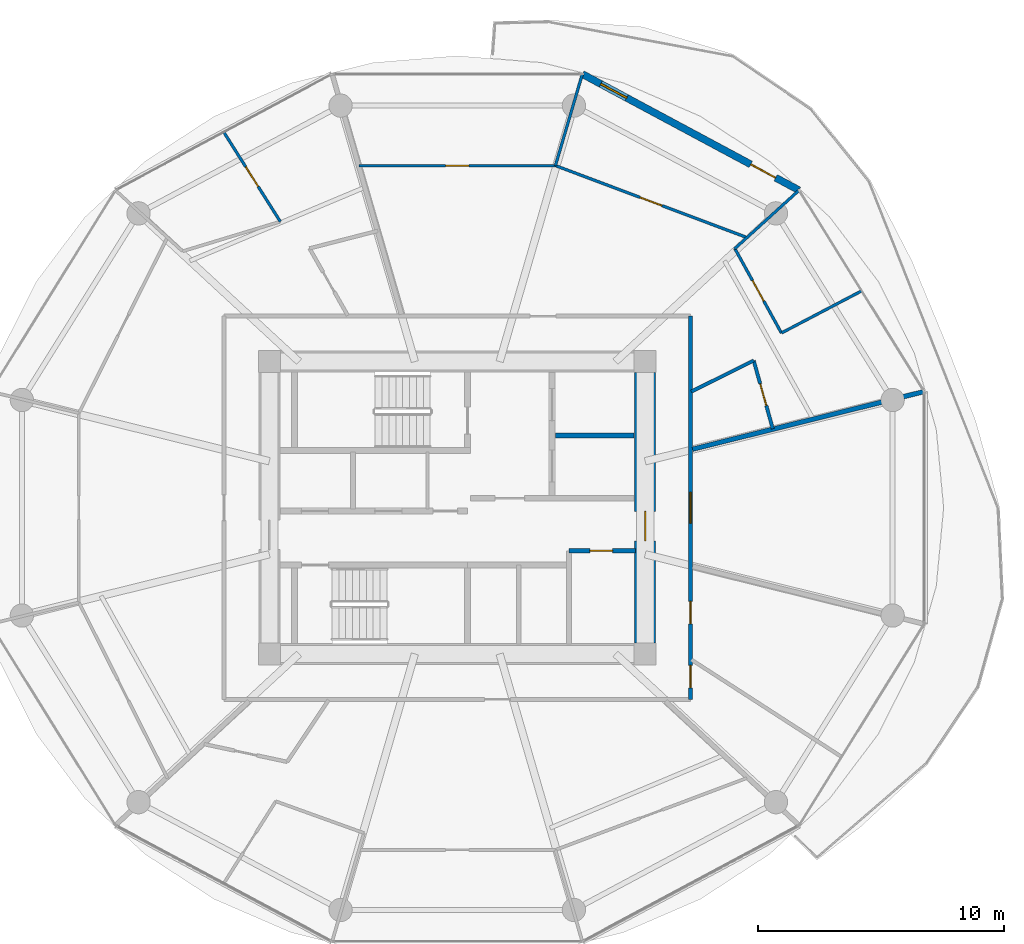
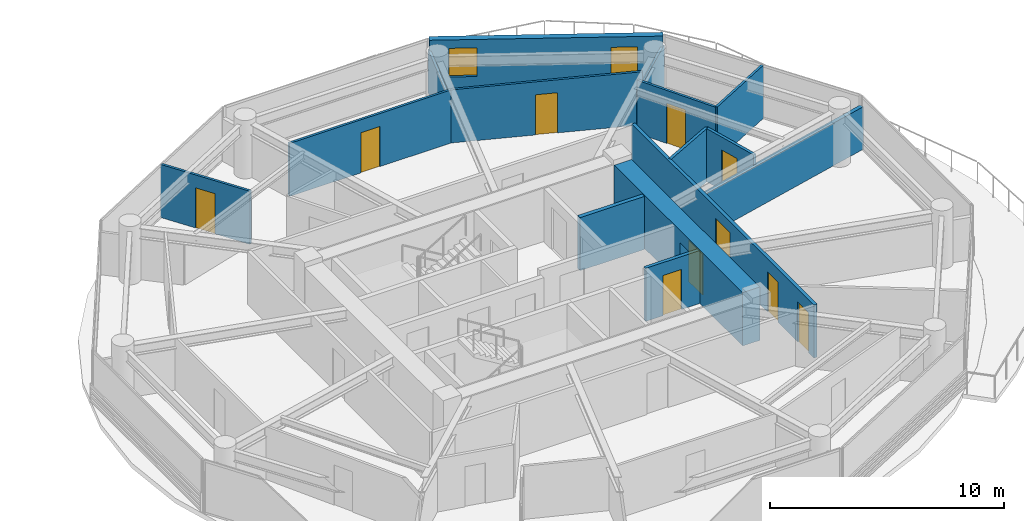
# One storey, part 20 of 27: 15 walls, 11 doors, 1 window, 12 openings.
"""IFC4 building model written with IfcOpenShell, lengths in metres."""

import ifcopenshell
import ifcopenshell.guid

model = None  # the IFC model being written
_history = None  # IfcOwnerHistory: only IFC2X3 demands one
_inside = {}  # id of a spatial element -> (the spatial element, [elements in it])
_under = {}  # id of a project, library or spatial element -> (it, [spatial elements below it])
_declared = {}  # id of a project -> (the project, [libraries it declares])
_typed = {}  # id of a type object -> (the type object, [elements of that type])
_made_of = {}  # id of a material, layer set ... -> (it, [elements and type objects made of it])


def new_model(schema):
    """Start an empty IFC model of exactly this schema.

    Asked for "IFC4X3", IfcOpenShell would pick the latest addendum, in which some entities
    have other attributes; the version numbers below select the first issue.
    IFC2X3 requires an IfcOwnerHistory on every rooted entity: one is made here for all.
    """
    global model, _history
    if schema == "IFC4X3":
        model = ifcopenshell.file(schema_version=(4, 3, 0, 0))
    else:
        model = ifcopenshell.file(schema=schema)
    _inside.clear()
    _under.clear()
    _declared.clear()
    _typed.clear()
    _made_of.clear()
    _history = None
    if model.schema == "IFC2X3":
        org = make("IfcOrganization", Name="unknown")
        user = make(
            "IfcPersonAndOrganization",
            ThePerson=make("IfcPerson", FamilyName="unknown"),
            TheOrganization=org,
        )
        app = make(
            "IfcApplication",
            ApplicationDeveloper=org,
            Version="unknown",
            ApplicationFullName="unknown",
            ApplicationIdentifier="unknown",
        )
        _history = make(
            "IfcOwnerHistory",
            OwningUser=user,
            OwningApplication=app,
            ChangeAction="ADDED",
            CreationDate=0,
        )
    return model


def make(cls, **values):
    """One entity of the class cls with the attributes given. An attribute that is None is left unset."""
    return model.create_entity(
        cls, **{name: value for name, value in values.items() if value is not None}
    )


def rooted(cls, **values):
    """An entity with a GlobalId (a new one), such as an element, a storey or a relation."""
    return make(cls, GlobalId=ifcopenshell.guid.new(), OwnerHistory=_history, **values)


def si_unit(unit_type, name, prefix=None):
    """IfcSIUnit, for example si_unit("LENGTHUNIT", "METRE", prefix="MILLI")."""
    return make("IfcSIUnit", UnitType=unit_type, Prefix=prefix, Name=name)


def assignment(units):
    """IfcUnitAssignment: the units of a project."""
    return None if units is None else make("IfcUnitAssignment", Units=units)


def point(xyz):
    """IfcCartesianPoint."""
    return None if xyz is None else make("IfcCartesianPoint", Coordinates=xyz)


def direction(xyz):
    """IfcDirection."""
    return None if xyz is None else make("IfcDirection", DirectionRatios=xyz)


def frame(location, z_axis=None, x_axis=None):
    """IfcAxis2Placement3D, a coordinate frame: its origin and axes. An axis left out is left unset."""
    return make(
        "IfcAxis2Placement3D",
        Location=point(location),
        Axis=direction(z_axis),
        RefDirection=direction(x_axis),
    )


def frame_2d(location, x_axis=None):
    """IfcAxis2Placement2D, a coordinate frame in the plane: its origin and x axis."""
    return make(
        "IfcAxis2Placement2D", Location=point(location), RefDirection=direction(x_axis)
    )


def origin():
    """The frame at (0, 0, 0) with its axes left unset."""
    return frame((0.0, 0.0, 0.0))


def place(relative_to, where):
    """IfcLocalPlacement: puts the frame where relative to a parent placement (None: the world)."""
    return make(
        "IfcLocalPlacement", PlacementRelTo=relative_to, RelativePlacement=where
    )


def context(
    kind, dimensions, precision=None, world=None, true_north=None, identifier=None
):
    """IfcGeometricRepresentationContext, for example the 3D "Model" context."""
    return make(
        "IfcGeometricRepresentationContext",
        ContextIdentifier=identifier,
        ContextType=kind,
        CoordinateSpaceDimension=dimensions,
        Precision=precision,
        WorldCoordinateSystem=world,
        TrueNorth=true_north,
    )


def subcontext(parent, identifier, kind, view, scale=None):
    """IfcGeometricRepresentationSubContext, for example "Body" below "Model"."""
    return make(
        "IfcGeometricRepresentationSubContext",
        ContextIdentifier=identifier,
        ContextType=kind,
        ParentContext=parent,
        TargetScale=scale,
        TargetView=view,
    )


def project(units=None, contexts=None):
    """IfcProject with its units and contexts."""
    return rooted(
        "IfcProject",
        Name="project",
        RepresentationContexts=contexts,
        UnitsInContext=assignment(units),
    )


def spatial(cls, under=None, at=None, **own):
    """A site, building, storey or space (cls), placed at a placement, below another one or the project."""
    s = rooted(cls, ObjectPlacement=at, **own)
    if under is not None:
        _under.setdefault(under.id(), (under, []))[1].append(s)
    return s


def profile(cls, at=None, kind="AREA", **sizes):
    """A parametric profile (cls). Its sizes go by their IFC names, for example OverallWidth=200.0."""
    return make(cls, ProfileType=kind, Position=at, **sizes)


def rectangle(**sizes):
    """IfcRectangleProfileDef."""
    return profile("IfcRectangleProfileDef", **sizes)


def extrude(swept, where, along, depth):
    """IfcExtrudedAreaSolid: the profile swept, set in the frame where, extruded along a direction by depth."""
    return make(
        "IfcExtrudedAreaSolid",
        SweptArea=swept,
        Position=where,
        ExtrudedDirection=direction(along),
        Depth=depth,
    )


def shape(context_of_items, identifier, shape_type, items):
    """IfcShapeRepresentation: the items that make up one representation, for example the "Body"."""
    return make(
        "IfcShapeRepresentation",
        ContextOfItems=context_of_items,
        RepresentationIdentifier=identifier,
        RepresentationType=shape_type,
        Items=items,
    )


def source(mapping_origin, context_of_items, identifier, shape_type, items):
    """IfcRepresentationMap: a shape defined once, which mapped items show again and again."""
    return make(
        "IfcRepresentationMap",
        MappingOrigin=mapping_origin,
        MappedRepresentation=shape(context_of_items, identifier, shape_type, items),
    )


def transform(
    local_origin,
    x_axis=None,
    y_axis=None,
    z_axis=None,
    scale=None,
    scale2=None,
    scale3=None,
    uniform=True,
):
    """IfcCartesianTransformationOperator3D, or its non-uniform kind. x_axis, y_axis, z_axis: its Axis1, 2, 3."""
    if uniform:
        return make(
            "IfcCartesianTransformationOperator3D",
            Axis1=direction(x_axis),
            Axis2=direction(y_axis),
            LocalOrigin=point(local_origin),
            Scale=scale,
            Axis3=direction(z_axis),
        )
    return make(
        "IfcCartesianTransformationOperator3DnonUniform",
        Axis1=direction(x_axis),
        Axis2=direction(y_axis),
        LocalOrigin=point(local_origin),
        Scale=scale,
        Axis3=direction(z_axis),
        Scale2=scale2,
        Scale3=scale3,
    )


def mapped(mapping_source, mapping_target):
    """IfcMappedItem: shows the shape of a source again, moved by a transform."""
    return make(
        "IfcMappedItem", MappingSource=mapping_source, MappingTarget=mapping_target
    )


def material(Name=None, Category=None):
    """IfcMaterial."""
    return make("IfcMaterial", Name=Name, Category=Category)


def layer(
    of_material, thickness, ventilated=None, Name=None, Category=None, Priority=None
):
    """IfcMaterialLayer: one layer of a wall or slab, of a material (None: an air gap)."""
    return make(
        "IfcMaterialLayer",
        Material=of_material,
        LayerThickness=thickness,
        IsVentilated=ventilated,
        Name=Name,
        Category=Category,
        Priority=Priority,
    )


def layer_set(layers, Name=None):
    """IfcMaterialLayerSet."""
    return make("IfcMaterialLayerSet", MaterialLayers=layers, LayerSetName=Name)


def made_of(thing, what):
    """Note that an element or type object is made of a material, layer set ...; save() writes the relation."""
    if what is not None:
        _made_of.setdefault(what.id(), (what, []))[1].append(thing)
    return thing


def type_object(cls, material=None, **own):
    """A type object (cls), such as IfcWallType, which elements share."""
    return made_of(rooted(cls, **own), material)


def type_shapes(of_type, sources):
    """Give a type object the sources (RepresentationMaps) that its elements show as mapped items."""
    of_type.RepresentationMaps = sources


def element(
    cls,
    number,
    at=None,
    inside=None,
    cuts=None,
    type_object=None,
    material=None,
    context=None,
    identifier="Body",
    shape_type=None,
    held_by="IfcProductDefinitionShape",
    body=None,
    shapes=None,
    **own,
):
    """One element of the class cls, such as IfcWall. Its Tag is "e" and its number.

    at: its placement. inside: the storey or other place that contains it. cuts: it is an
    opening in that element (IfcRelVoidsElement). A single representation is given by context,
    identifier, shape_type and body (its items); several are given by shapes. held_by: the class
    of the entity that holds the representations. save() writes the other relations.
    """
    e = rooted(cls, Tag="e%d" % number, ObjectPlacement=at, **own)
    if body is not None:
        shapes = [shape(context, identifier, shape_type, body)]
    if shapes is not None:
        e.Representation = make(held_by, Representations=shapes)
    if inside is not None:
        _inside.setdefault(inside.id(), (inside, []))[1].append(e)
    if cuts is not None:
        rooted(
            "IfcRelVoidsElement", RelatingBuildingElement=cuts, RelatedOpeningElement=e
        )
    if type_object is not None:
        _typed.setdefault(type_object.id(), (type_object, []))[1].append(e)
    return made_of(e, material)


def fill(opening, filler):
    """IfcRelFillsElement: the door or window that sits in an opening."""
    return rooted(
        "IfcRelFillsElement",
        RelatingOpeningElement=opening,
        RelatedBuildingElement=filler,
    )


def aggregate(whole, parts):
    """IfcRelAggregates: a whole, such as a stair, and the parts it consists of."""
    return rooted("IfcRelAggregates", RelatingObject=whole, RelatedObjects=parts)


def save(model, path):
    """Write the relations noted so far, then the file.

    IfcRelAggregates (storeys below a building ...), IfcRelContainedInSpatialStructure (elements
    in a storey), IfcRelDefinesByType, IfcRelAssociatesMaterial and IfcRelDeclares: one each for
    every whole, place, type object, material and project.
    """
    for whole, parts in _under.values():
        aggregate(whole, parts)
    for where, things in _inside.values():
        rooted(
            "IfcRelContainedInSpatialStructure",
            RelatedElements=things,
            RelatingStructure=where,
        )
    for kind, things in _typed.values():
        rooted("IfcRelDefinesByType", RelatedObjects=things, RelatingType=kind)
    for what, things in _made_of.values():
        rooted("IfcRelAssociatesMaterial", RelatedObjects=things, RelatingMaterial=what)
    for by, libraries in _declared.values():
        rooted("IfcRelDeclares", RelatingContext=by, RelatedDefinitions=libraries)
    model.write(path)


model = new_model("IFC4")

# Units and contexts
model_context = context("Model", 3, precision=1e-05, world=origin(), true_north=direction((0.0, 1.0)))
body_context = subcontext(model_context, "Body", "Model", "MODEL_VIEW")
ifc_project = project(units=[si_unit("LENGTHUNIT", "METRE"), si_unit("AREAUNIT", "SQUARE_METRE"), si_unit("VOLUMEUNIT", "CUBIC_METRE"), si_unit("PLANEANGLEUNIT", "RADIAN"), si_unit("MASSUNIT", "GRAM", prefix="KILO")], contexts=[model_context])

# Site, building, storey
site_placement = place(None, origin())
site = spatial("IfcSite", under=ifc_project, at=site_placement, CompositionType="ELEMENT")
building_placement = place(site_placement, origin())
building = spatial("IfcBuilding", under=site, at=building_placement, Name="Norrkilde Senior Care Towers", CompositionType="ELEMENT")
storey_placement = place(building_placement, frame((0.0, 0.0, 46.0)))
storey = spatial("IfcBuildingStorey", under=building, at=storey_placement, Name="L13", CompositionType="ELEMENT", Elevation=46.0)

# Wall, opening, door
ifc_material_1 = material(Name="Concrete C60/75", Category="concrete")
ifc_layer_1 = layer(ifc_material_1, 0.85009765625)
ifc_layer_set_1 = layer_set([ifc_layer_1], Name="Concrete C60/75")
wall_type_1 = type_object("IfcWallType", Name="Core Shear Wall Z1 850", PredefinedType="SHEAR", material=ifc_layer_set_1)
shared_shape_1 = source(origin(), body_context, "Body", "SweptSolid", [
    extrude(rectangle(XDim=11.0, YDim=0.85009765625, at=frame_2d((5.5, 0.0))), origin(), (0.0, 0.0, 1.0), 2.7900390625),
])
type_shapes(wall_type_1, [shared_shape_1])
wall_1_placement = place(storey_placement, frame((35.64990234375, 5.5, 0.0), z_axis=(0.0, 0.0, 1.0), x_axis=(0.0, -1.0, 0.0)))
wall_1 = element("IfcWall", 1, at=wall_1_placement, inside=storey, type_object=wall_type_1, Name="L13 Core E East Shear Wall", PredefinedType="SHEAR", context=body_context, shape_type="MappedRepresentation", body=[
    mapped(shared_shape_1, transform((0.0, 0.0, 0.0), x_axis=(1.0, 0.0, 0.0), y_axis=(0.0, 1.0, 0.0), z_axis=(0.0, 0.0, 1.0), scale=1.0)),
])
opening_1_placement = place(wall_1_placement, frame((5.64990234375, 0.0, 0.0)))
opening_1 = element("IfcOpeningElement", 2, at=opening_1_placement, cuts=wall_1, Name="Opening D-04", PredefinedType="OPENING", context=body_context, shape_type="SweptSolid", body=[
    extrude(rectangle(XDim=1.199951171875, YDim=2.14990234375, at=frame_2d((0.60009765625, 1.074951171875))), frame((0.0, 0.43505859375, 0.0), z_axis=(0.0, -1.0, 0.0), x_axis=(1.0, 0.0, 0.0)), (0.0, 0.0, 1.0), 0.8701171875),
])
ifc_material_2 = material(Name="Galvanised Painted Steel", Category="steel")
door_type_1 = type_object("IfcDoorType", Name="Firefighting Lobby Fire Door 1200x2150", OperationType="NOTDEFINED", PredefinedType="DOOR", material=ifc_material_2)
shared_shape_2 = source(origin(), body_context, "Body", "SweptSolid", [
    extrude(rectangle(XDim=1.199951171875, YDim=2.14990234375, at=frame_2d((0.60009765625, 1.074951171875))), frame((0.0, 0.02490234375, 0.0), z_axis=(0.0, -1.0, 0.0), x_axis=(1.0, 0.0, 0.0)), (0.0, 0.0, 1.0), 0.050048828125),
])
type_shapes(door_type_1, [shared_shape_2])
door_1_placement = place(opening_1_placement, frame((1.199951171875, 0.0, 0.0), z_axis=(0.0, 0.0, 1.0), x_axis=(-1.0, 0.0, 0.0)))
door_1 = element("IfcDoor", 3, at=door_1_placement, inside=storey, type_object=door_type_1, Name="L13 Core E East Portal Door", OperationType="SINGLE_SWING_RIGHT", OverallHeight=2.14990234375, OverallWidth=1.199951171875, PredefinedType="DOOR", context=body_context, shape_type="MappedRepresentation", body=[
    mapped(shared_shape_2, transform((0.0, 0.0, 0.0), x_axis=(1.0, 0.0, 0.0), y_axis=(0.0, 1.0, 0.0), z_axis=(0.0, 0.0, 1.0), scale=1.0)),
])
fill(opening_1, door_1)

# Wall, openings, door, window
ifc_material_3 = material(Name="Precast concrete C45/55", Category="concrete")
ifc_layer_2 = layer(ifc_material_3, 0.2900390625)
ifc_layer_set_2 = layer_set([ifc_layer_2], Name="Precast concrete C45/55")
wall_type_2 = type_object("IfcWallType", Name="Winter Garden Facade Wall 290", PredefinedType="SOLIDWALL", material=ifc_layer_set_2)
shared_shape_3 = source(origin(), body_context, "Body", "SweptSolid", [
    extrude(rectangle(XDim=10.0107421875, YDim=0.2900390625, at=frame_2d((5.00537109375, 0.0))), origin(), (0.0, 0.0, 1.0), 2.7900390625),
])
type_shapes(wall_type_2, [shared_shape_3])
wall_2_placement = place(storey_placement, frame((33.093505859375, 17.6572265625, 0.0), z_axis=(0.0, 0.0, 1.0), x_axis=(0.881272505317, -0.472608475773, 0.0)))
wall_2 = element("IfcWall", 4, at=wall_2_placement, inside=storey, type_object=wall_type_2, Name="L13 Drum E Balcony Access Wall 01", PredefinedType="SOLIDWALL", context=body_context, shape_type="MappedRepresentation", body=[
    mapped(shared_shape_3, transform((0.0, 0.0, 0.0), x_axis=(1.0, 0.0, 0.0), y_axis=(0.0, 1.0, 0.0), z_axis=(0.0, 0.0, 1.0), scale=1.0)),
])
opening_2_placement = place(wall_2_placement, frame((7.780029296875, 0.0, 0.0)))
opening_2 = element("IfcOpeningElement", 5, at=opening_2_placement, cuts=wall_2, Name="Opening D-09", PredefinedType="OPENING", context=body_context, shape_type="SweptSolid", body=[
    extrude(rectangle(XDim=1.14990234375, YDim=2.25, at=frame_2d((0.574951171875, 1.125))), frame((0.0, 0.155029296875, 0.0), z_axis=(0.0, -1.0, 0.0), x_axis=(1.0, 0.0, 0.0)), (0.0, 0.0, 1.0), 0.31005859375),
])
opening_3_placement = place(wall_2_placement, frame((0.85009765625, 0.0, 0.85009765625)))
opening_3 = element("IfcOpeningElement", 6, at=opening_3_placement, cuts=wall_2, Name="Opening WN-07", PredefinedType="OPENING", context=body_context, shape_type="SweptSolid", body=[
    extrude(rectangle(XDim=1.199951171875, YDim=1.5, at=frame_2d((0.60009765625, 0.75))), frame((0.0, 0.155029296875, 0.0), z_axis=(0.0, -1.0, 0.0), x_axis=(1.0, 0.0, 0.0)), (0.0, 0.0, 1.0), 0.31005859375),
])
ifc_material_4 = material(Name="Anodised Aluminium", Category="aluminium")
door_type_2 = type_object("IfcDoorType", Name="Terrace and Balcony Glazed Door 1150x2250", OperationType="NOTDEFINED", PredefinedType="DOOR", material=ifc_material_4)
shared_shape_4 = source(origin(), body_context, "Body", "SweptSolid", [
    extrude(rectangle(XDim=1.14990234375, YDim=2.25, at=frame_2d((0.574951171875, 1.125))), frame((0.0, 0.02490234375, 0.0), z_axis=(0.0, -1.0, 0.0), x_axis=(1.0, 0.0, 0.0)), (0.0, 0.0, 1.0), 0.050048828125),
])
type_shapes(door_type_2, [shared_shape_4])
door_2_placement = place(opening_2_placement, origin())
door_2 = element("IfcDoor", 7, at=door_2_placement, inside=storey, type_object=door_type_2, Name="L13 Drum E Outdoor Terrace Door 01", OperationType="SINGLE_SWING_RIGHT", OverallHeight=2.25, OverallWidth=1.14990234375, PredefinedType="DOOR", context=body_context, shape_type="MappedRepresentation", body=[
    mapped(shared_shape_4, transform((0.0, 0.0, 0.0), x_axis=(1.0, 0.0, 0.0), y_axis=(0.0, 1.0, 0.0), z_axis=(0.0, 0.0, 1.0), scale=1.0)),
])
fill(opening_2, door_2)
ifc_material_5 = material(Name="Triple Low-E Insulated Glazing", Category="glass")
window_type = type_object("IfcWindowType", Name="Stairwell Smoke Vent Window 1200x1500", PartitioningType="SINGLE_PANEL", PredefinedType="WINDOW", material=ifc_material_5)
shared_shape_5 = source(origin(), body_context, "Body", "SweptSolid", [
    extrude(rectangle(XDim=1.199951171875, YDim=1.5, at=frame_2d((0.60009765625, 0.75))), frame((0.0, 0.030029296875, 0.0), z_axis=(0.0, -1.0, 0.0), x_axis=(1.0, 0.0, 0.0)), (0.0, 0.0, 1.0), 0.06005859375),
])
type_shapes(window_type, [shared_shape_5])
window_placement = place(opening_3_placement, origin())
window = element("IfcWindow", 8, at=window_placement, inside=storey, type_object=window_type, Name="L13 Drum E Winter Garden Window 01", OverallHeight=1.5, OverallWidth=1.199951171875, PartitioningType="SINGLE_PANEL", PredefinedType="WINDOW", context=body_context, shape_type="MappedRepresentation", body=[
    mapped(shared_shape_5, transform((0.0, 0.0, 0.0), x_axis=(1.0, 0.0, 0.0), y_axis=(0.0, 1.0, 0.0), z_axis=(0.0, 0.0, 1.0), scale=1.0)),
])
fill(opening_3, window)

# Wall
ifc_material_6 = material(Name="Concrete C45/55", Category="concrete")
ifc_layer_3 = layer(ifc_material_6, 0.199951171875)
ifc_layer_set_3 = layer_set([ifc_layer_3], Name="Concrete C45/55")
wall_type_3 = type_object("IfcWallType", Name="Shaft Division and Plant Partition 200", PredefinedType="PARTITIONING", material=ifc_layer_set_3)
shared_shape_6 = source(origin(), body_context, "Body", "SweptSolid", [
    extrude(rectangle(XDim=3.199951171875, YDim=0.199951171875, at=frame_2d((1.60009765625, 0.0))), origin(), (0.0, 0.0, 1.0), 2.77490234375),
])
type_shapes(wall_type_3, [shared_shape_6])
wall_3_placement = place(storey_placement, frame((32.0, 2.949951171875, 0.0), z_axis=(0.0, 0.0, 1.0), x_axis=(1.0, 0.0, 0.0)))
element("IfcWall", 9, at=wall_3_placement, inside=storey, type_object=wall_type_3, Name="WL-INT-L13-E-FFLDIV", PredefinedType="PARTITIONING", context=body_context, shape_type="MappedRepresentation", body=[
    mapped(shared_shape_6, transform((0.0, 0.0, 0.0), x_axis=(1.0, 0.0, 0.0), y_axis=(0.0, 1.0, 0.0), z_axis=(0.0, 0.0, 1.0), scale=1.0)),
])

# Wall, opening, door
ifc_material_7 = material(Name="Gypsum Acoustic Board")
ifc_layer_4 = layer(ifc_material_7, 0.1650390625)
ifc_layer_set_4 = layer_set([ifc_layer_4], Name="Gypsum Acoustic Board")
wall_type_4 = type_object("IfcWallType", Name="Corridor Rated Partition 165", PredefinedType="PARTITIONING", material=ifc_layer_set_4)
shared_shape_7 = source(origin(), body_context, "Body", "SweptSolid", [
    extrude(rectangle(XDim=2.699951171875, YDim=0.1650390625, at=frame_2d((1.35009765625, 0.0))), origin(), (0.0, 0.0, 1.0), 2.77490234375),
])
wall_4_placement = place(storey_placement, frame((32.550048828125, -1.75, 0.0), z_axis=(0.0, 0.0, 1.0), x_axis=(1.0, 0.0, 0.0)))
wall_4 = element("IfcWall", 10, at=wall_4_placement, inside=storey, type_object=wall_type_4, Name="WL-INT-L13-E-CSN", PredefinedType="PARTITIONING", context=body_context, shape_type="MappedRepresentation", body=[
    mapped(shared_shape_7, transform((0.0, 0.0, 0.0), x_axis=(1.0, 0.0, 0.0), y_axis=(0.0, 1.0, 0.0), z_axis=(0.0, 0.0, 1.0), scale=1.0)),
])
opening_4_placement = place(wall_4_placement, frame((0.85009765625, 0.0, 0.0)))
opening_4 = element("IfcOpeningElement", 11, at=opening_4_placement, cuts=wall_4, Name="Opening D-12", PredefinedType="OPENING", context=body_context, shape_type="SweptSolid", body=[
    extrude(rectangle(XDim=0.925048828125, YDim=2.10009765625, at=frame_2d((0.46240234375, 1.050048828125))), frame((0.0, 0.092529296875, 0.0), z_axis=(0.0, -1.0, 0.0), x_axis=(1.0, 0.0, 0.0)), (0.0, 0.0, 1.0), 0.18505859375),
])
door_type_3 = type_object("IfcDoorType", Name="Core Wet Room Rated Door 925x2100", OperationType="NOTDEFINED", PredefinedType="DOOR", material=ifc_material_2)
shared_shape_8 = source(origin(), body_context, "Body", "SweptSolid", [
    extrude(rectangle(XDim=0.925048828125, YDim=2.10009765625, at=frame_2d((0.46240234375, 1.050048828125))), frame((0.0, 0.02490234375, 0.0), z_axis=(0.0, -1.0, 0.0), x_axis=(1.0, 0.0, 0.0)), (0.0, 0.0, 1.0), 0.050048828125),
])
type_shapes(door_type_3, [shared_shape_8])
door_3_placement = place(opening_4_placement, origin())
door_3 = element("IfcDoor", 12, at=door_3_placement, inside=storey, type_object=door_type_3, Name="L13 Core Utility E Door", OperationType="SINGLE_SWING_LEFT", OverallHeight=2.10009765625, OverallWidth=0.925048828125, PredefinedType="DOOR", context=body_context, shape_type="MappedRepresentation", body=[
    mapped(shared_shape_8, transform((0.0, 0.0, 0.0), x_axis=(1.0, 0.0, 0.0), y_axis=(0.0, 1.0, 0.0), z_axis=(0.0, 0.0, 1.0), scale=1.0)),
])
fill(opening_4, door_3)

# Wall, openings, doors
shared_shape_9 = source(origin(), body_context, "Body", "SweptSolid", [
    extrude(rectangle(XDim=15.60009765625, YDim=0.1650390625, at=frame_2d((7.800048828125, 0.0))), origin(), (0.0, 0.0, 1.0), 2.77490234375),
])
type_shapes(wall_type_4, [shared_shape_7, shared_shape_9])
wall_5_placement = place(storey_placement, frame((37.5, 7.800048828125, 0.0), z_axis=(0.0, 0.0, 1.0), x_axis=(0.0, -1.0, 0.0)))
wall_5 = element("IfcWall", 13, at=wall_5_placement, inside=storey, type_object=wall_type_4, Name="WL-INT-L13-E-CRW-E-0", PredefinedType="PARTITIONING", context=body_context, shape_type="MappedRepresentation", body=[
    mapped(shared_shape_9, transform((0.0, 0.0, 0.0), x_axis=(1.0, 0.0, 0.0), y_axis=(0.0, 1.0, 0.0), z_axis=(0.0, 0.0, 1.0), scale=1.0)),
])
opening_5_placement = place(wall_5_placement, frame((14.214599609375, 0.0, 0.0)))
opening_5 = element("IfcOpeningElement", 14, at=opening_5_placement, cuts=wall_5, Name="Opening D-08", PredefinedType="OPENING", context=body_context, shape_type="SweptSolid", body=[
    extrude(rectangle(XDim=0.919921875, YDim=2.10009765625, at=frame_2d((0.4599609375, 1.050048828125))), frame((0.0, 0.092529296875, 0.0), z_axis=(0.0, -1.0, 0.0), x_axis=(1.0, 0.0, 0.0)), (0.0, 0.0, 1.0), 0.18505859375),
])
opening_6_placement = place(wall_5_placement, frame((11.609130859375, 0.0, 0.0)))
opening_6 = element("IfcOpeningElement", 15, at=opening_6_placement, cuts=wall_5, Name="Opening D-08", PredefinedType="OPENING", context=body_context, shape_type="SweptSolid", body=[
    extrude(rectangle(XDim=0.919921875, YDim=2.10009765625, at=frame_2d((0.4599609375, 1.050048828125))), frame((0.0, 0.092529296875, 0.0), z_axis=(0.0, -1.0, 0.0), x_axis=(1.0, 0.0, 0.0)), (0.0, 0.0, 1.0), 0.18505859375),
])
opening_7_placement = place(wall_5_placement, frame((7.175048828125, 0.0, 0.0)))
opening_7 = element("IfcOpeningElement", 16, at=opening_7_placement, cuts=wall_5, Name="Opening D-05", PredefinedType="OPENING", context=body_context, shape_type="SweptSolid", body=[
    extrude(rectangle(XDim=1.25, YDim=2.199951171875, at=frame_2d((0.625, 1.10009765625))), frame((0.0, 0.092529296875, 0.0), z_axis=(0.0, -1.0, 0.0), x_axis=(1.0, 0.0, 0.0)), (0.0, 0.0, 1.0), 0.18505859375),
])
ifc_material_8 = material(Name="Nordic Ash Timber", Category="wood")
door_type_4 = type_object("IfcDoorType", Name="Care Bedroom Bariatric Door 1250x2200", OperationType="NOTDEFINED", PredefinedType="DOOR", material=ifc_material_8)
shared_shape_10 = source(origin(), body_context, "Body", "SweptSolid", [
    extrude(rectangle(XDim=1.25, YDim=2.199951171875, at=frame_2d((0.625, 1.10009765625))), frame((0.0, 0.02490234375, 0.0), z_axis=(0.0, -1.0, 0.0), x_axis=(1.0, 0.0, 0.0)), (0.0, 0.0, 1.0), 0.050048828125),
])
type_shapes(door_type_4, [shared_shape_10])
door_4_placement = place(opening_7_placement, frame((1.25, 0.0, 0.0), z_axis=(0.0, 0.0, 1.0), x_axis=(-1.0, 0.0, 0.0)))
door_4 = element("IfcDoor", 17, at=door_4_placement, inside=storey, type_object=door_type_4, Name="L13 Senior Wellness Library Lounge Door", OperationType="SINGLE_SWING_RIGHT", OverallHeight=2.199951171875, OverallWidth=1.25, PredefinedType="DOOR", context=body_context, shape_type="MappedRepresentation", body=[
    mapped(shared_shape_10, transform((0.0, 0.0, 0.0), x_axis=(1.0, 0.0, 0.0), y_axis=(0.0, 1.0, 0.0), z_axis=(0.0, 0.0, 1.0), scale=1.0)),
])
fill(opening_7, door_4)
door_type_5 = type_object("IfcDoorType", Name="Accessible Wet Room Door 920x2100", OperationType="NOTDEFINED", PredefinedType="DOOR", material=ifc_material_8)
shared_shape_11 = source(origin(), body_context, "Body", "SweptSolid", [
    extrude(rectangle(XDim=0.919921875, YDim=2.10009765625, at=frame_2d((0.4599609375, 1.050048828125))), frame((0.0, 0.02490234375, 0.0), z_axis=(0.0, -1.0, 0.0), x_axis=(1.0, 0.0, 0.0)), (0.0, 0.0, 1.0), 0.050048828125),
])
type_shapes(door_type_5, [shared_shape_11])
door_5_placement = place(opening_5_placement, frame((0.919921875, 0.0, 0.0), z_axis=(0.0, 0.0, 1.0), x_axis=(-1.0, 0.0, 0.0)))
door_5 = element("IfcDoor", 18, at=door_5_placement, inside=storey, type_object=door_type_5, Name="L13 Accessible Restroom Door", OperationType="SINGLE_SWING_LEFT", OverallHeight=2.10009765625, OverallWidth=0.919921875, PredefinedType="DOOR", context=body_context, shape_type="MappedRepresentation", body=[
    mapped(shared_shape_11, transform((0.0, 0.0, 0.0), x_axis=(1.0, 0.0, 0.0), y_axis=(0.0, 1.0, 0.0), z_axis=(0.0, 0.0, 1.0), scale=1.0)),
])
fill(opening_5, door_5)
door_6_placement = place(opening_6_placement, frame((0.919921875, 0.0, 0.0), z_axis=(0.0, 0.0, 1.0), x_axis=(-1.0, 0.0, 0.0)))
door_6 = element("IfcDoor", 19, at=door_6_placement, inside=storey, type_object=door_type_5, Name="L13 Public Restroom Door", OperationType="SINGLE_SWING_RIGHT", OverallHeight=2.10009765625, OverallWidth=0.919921875, PredefinedType="DOOR", context=body_context, shape_type="MappedRepresentation", body=[
    mapped(shared_shape_11, transform((0.0, 0.0, 0.0), x_axis=(1.0, 0.0, 0.0), y_axis=(0.0, 1.0, 0.0), z_axis=(0.0, 0.0, 1.0), scale=1.0)),
])
fill(opening_6, door_6)

# Wall, opening, door
ifc_layer_5 = layer(ifc_material_7, 0.114990234375)
ifc_layer_set_5 = layer_set([ifc_layer_5], Name="Gypsum Acoustic Board")
wall_type_5 = type_object("IfcWallType", Name="Internal Room Partition 115", PredefinedType="PARTITIONING", material=ifc_layer_set_5)
shared_shape_12 = source(origin(), body_context, "Body", "SweptSolid", [
    extrude(rectangle(XDim=7.99267578125, YDim=0.114990234375, at=frame_2d((3.996337890625, 0.0))), origin(), (0.0, 0.0, 1.0), 2.77490234375),
])
wall_6_placement = place(storey_placement, frame((31.996337890625, 13.927001953125, 0.0), z_axis=(0.0, 0.0, 1.0), x_axis=(-1.0, 0.0, 0.0)))
wall_6 = element("IfcWall", 20, at=wall_6_placement, inside=storey, type_object=wall_type_5, Name="WL-INT-L13-E-UBC-00-2", PredefinedType="PARTITIONING", context=body_context, shape_type="MappedRepresentation", body=[
    mapped(shared_shape_12, transform((0.0, 0.0, 0.0), x_axis=(1.0, 0.0, 0.0), y_axis=(0.0, 1.0, 0.0), z_axis=(0.0, 0.0, 1.0), scale=1.0)),
])
opening_8_placement = place(wall_6_placement, frame((3.521484375, 0.0, 0.0)))
opening_8 = element("IfcOpeningElement", 21, at=opening_8_placement, cuts=wall_6, Name="Opening D-07", PredefinedType="OPENING", context=body_context, shape_type="SweptSolid", body=[
    extrude(rectangle(XDim=0.949951171875, YDim=2.10009765625, at=frame_2d((0.47509765625, 1.050048828125))), frame((0.0, 0.0673828125, 0.0), z_axis=(0.0, -1.0, 0.0), x_axis=(1.0, 0.0, 0.0)), (0.0, 0.0, 1.0), 0.135009765625),
])
door_type_6 = type_object("IfcDoorType", Name="Internal Suite Bedroom Door 950x2100", OperationType="NOTDEFINED", PredefinedType="DOOR", material=ifc_material_8)
shared_shape_13 = source(origin(), body_context, "Body", "SweptSolid", [
    extrude(rectangle(XDim=0.949951171875, YDim=2.10009765625, at=frame_2d((0.47509765625, 1.050048828125))), frame((0.0, 0.02490234375, 0.0), z_axis=(0.0, -1.0, 0.0), x_axis=(1.0, 0.0, 0.0)), (0.0, 0.0, 1.0), 0.050048828125),
])
type_shapes(door_type_6, [shared_shape_13])
door_7_placement = place(opening_8_placement, frame((0.949951171875, 0.0, 0.0), z_axis=(0.0, 0.0, 1.0), x_axis=(-1.0, 0.0, 0.0)))
door_7 = element("IfcDoor", 22, at=door_7_placement, inside=storey, type_object=door_type_6, Name="Apartment 13E Bedroom 2 Door", OperationType="SINGLE_SWING_LEFT", OverallHeight=2.10009765625, OverallWidth=0.949951171875, PredefinedType="DOOR", context=body_context, shape_type="MappedRepresentation", body=[
    mapped(shared_shape_13, transform((0.0, 0.0, 0.0), x_axis=(1.0, 0.0, 0.0), y_axis=(0.0, 1.0, 0.0), z_axis=(0.0, 0.0, 1.0), scale=1.0)),
])
fill(opening_8, door_7)

shared_shape_14 = source(origin(), body_context, "Body", "SweptSolid", [
    extrude(rectangle(XDim=8.31982421875, YDim=0.114990234375, at=frame_2d((4.159912109375, 0.0))), origin(), (0.0, 0.0, 1.0), 2.77490234375),
])
wall_7_placement = place(storey_placement, frame((39.7861328125, 11.005615234375, 0.0), z_axis=(0.0, 0.0, 1.0), x_axis=(-0.936180763098, 0.351518959382, 0.0)))
wall_7 = element("IfcWall", 23, at=wall_7_placement, inside=storey, type_object=wall_type_5, Name="WL-INT-L13-E-UBC-00-1", PredefinedType="PARTITIONING", context=body_context, shape_type="MappedRepresentation", body=[
    mapped(shared_shape_14, transform((0.0, 0.0, 0.0), x_axis=(1.0, 0.0, 0.0), y_axis=(0.0, 1.0, 0.0), z_axis=(0.0, 0.0, 1.0), scale=1.0)),
])
opening_9_placement = place(wall_7_placement, frame((3.684814453125, 0.0, 0.0)))
opening_9 = element("IfcOpeningElement", 24, at=opening_9_placement, cuts=wall_7, Name="Opening D-07", PredefinedType="OPENING", context=body_context, shape_type="SweptSolid", body=[
    extrude(rectangle(XDim=0.949951171875, YDim=2.10009765625, at=frame_2d((0.47509765625, 1.050048828125))), frame((0.0, 0.0673828125, 0.0), z_axis=(0.0, -1.0, 0.0), x_axis=(1.0, 0.0, 0.0)), (0.0, 0.0, 1.0), 0.135009765625),
])
door_8_placement = place(opening_9_placement, origin())
door_8 = element("IfcDoor", 25, at=door_8_placement, inside=storey, type_object=door_type_6, Name="Apartment 13E Bedroom 1 Door", OperationType="SINGLE_SWING_RIGHT", OverallHeight=2.10009765625, OverallWidth=0.949951171875, PredefinedType="DOOR", context=body_context, shape_type="MappedRepresentation", body=[
    mapped(shared_shape_13, transform((0.0, 0.0, 0.0), x_axis=(1.0, 0.0, 0.0), y_axis=(0.0, 1.0, 0.0), z_axis=(0.0, 0.0, 1.0), scale=1.0)),
])
fill(opening_9, door_8)

# Walls
ifc_layer_6 = layer(ifc_material_7, 0.18994140625)
ifc_layer_set_6 = layer_set([ifc_layer_6], Name="Gypsum Acoustic Board")
wall_type_6 = type_object("IfcWallType", Name="Unit Demising Acoustic Wall 190", PredefinedType="PARTITIONING", material=ifc_layer_set_6)
shared_shape_15 = source(origin(), body_context, "Body", "SweptSolid", [
    extrude(rectangle(XDim=9.737060546875, YDim=0.18994140625, at=frame_2d((4.86865234375, 0.0))), origin(), (0.0, 0.0, 1.0), 2.22509765625),
])
type_shapes(wall_type_6, [shared_shape_15])
wall_8_placement = place(storey_placement, frame((37.580078125, 2.384521484375, 0.0), z_axis=(0.0, 0.0, 1.0), x_axis=(0.970392716238, 0.241532557375, 0.0)))
element("IfcWall", 26, at=wall_8_placement, inside=storey, type_object=wall_type_6, Name="WL-INT-L13-E-DEM-00-0", PredefinedType="PARTITIONING", context=body_context, shape_type="MappedRepresentation", body=[
    mapped(shared_shape_15, transform((0.0, 0.0, 0.0), x_axis=(1.0, 0.0, 0.0), y_axis=(0.0, 1.0, 0.0), z_axis=(0.0, 0.0, 1.0), scale=1.0)),
])
shared_shape_16 = source(origin(), body_context, "Body", "SweptSolid", [
    extrude(rectangle(XDim=3.562744140625, YDim=0.114990234375, at=frame_2d((1.78125, 0.0))), origin(), (0.0, 0.0, 1.0), 2.22509765625),
])
wall_9_placement = place(storey_placement, frame((39.29248046875, 10.544677734375, 0.0), z_axis=(0.0, 0.0, 1.0), x_axis=(0.740277955068, 0.672300936515, 0.0)))
element("IfcWall", 27, at=wall_9_placement, inside=storey, type_object=wall_type_5, Name="WL-INT-L13-E-UBR-00-1", PredefinedType="PARTITIONING", context=body_context, shape_type="MappedRepresentation", body=[
    mapped(shared_shape_16, transform((0.0, 0.0, 0.0), x_axis=(1.0, 0.0, 0.0), y_axis=(0.0, 1.0, 0.0), z_axis=(0.0, 0.0, 1.0), scale=1.0)),
])
shared_shape_17 = source(origin(), body_context, "Body", "SweptSolid", [
    extrude(rectangle(XDim=3.908203125, YDim=0.114990234375, at=frame_2d((1.9541015625, 0.0))), origin(), (0.0, 0.0, 1.0), 2.22509765625),
])
wall_10_placement = place(storey_placement, frame((31.996337890625, 13.927001953125, 0.0), z_axis=(0.0, 0.0, 1.0), x_axis=(0.282047948883, 0.959400309845, 0.0)))
element("IfcWall", 28, at=wall_10_placement, inside=storey, type_object=wall_type_5, Name="WL-INT-L13-E-UBR-00-2", PredefinedType="PARTITIONING", context=body_context, shape_type="MappedRepresentation", body=[
    mapped(shared_shape_17, transform((0.0, 0.0, 0.0), x_axis=(1.0, 0.0, 0.0), y_axis=(0.0, 1.0, 0.0), z_axis=(0.0, 0.0, 1.0), scale=1.0)),
])

# Wall, opening, door
shared_shape_18 = source(origin(), body_context, "Body", "SweptSolid", [
    extrude(rectangle(XDim=4.326416015625, YDim=0.114990234375, at=frame_2d((2.1630859375, 0.0))), origin(), (0.0, 0.0, 1.0), 2.77490234375),
])
wall_11_placement = place(storey_placement, frame((20.79638671875, 11.650634765625, 0.0), z_axis=(0.0, 0.0, 1.0), x_axis=(-0.534101263803, 0.845420510755, 0.0)))
wall_11 = element("IfcWall", 29, at=wall_11_placement, inside=storey, type_object=wall_type_5, Name="WL-INT-L13-E-UKTS-03", PredefinedType="PARTITIONING", context=body_context, shape_type="MappedRepresentation", body=[
    mapped(shared_shape_18, transform((0.0, 0.0, 0.0), x_axis=(1.0, 0.0, 0.0), y_axis=(0.0, 1.0, 0.0), z_axis=(0.0, 0.0, 1.0), scale=1.0)),
])
opening_10_placement = place(wall_11_placement, frame((1.688232421875, 0.0, 0.0)))
opening_10 = element("IfcOpeningElement", 30, at=opening_10_placement, cuts=wall_11, Name="Opening D-07", PredefinedType="OPENING", context=body_context, shape_type="SweptSolid", body=[
    extrude(rectangle(XDim=0.949951171875, YDim=2.10009765625, at=frame_2d((0.47509765625, 1.050048828125))), frame((0.0, 0.0673828125, 0.0), z_axis=(0.0, -1.0, 0.0), x_axis=(1.0, 0.0, 0.0)), (0.0, 0.0, 1.0), 0.135009765625),
])
door_9_placement = place(opening_10_placement, frame((0.949951171875, 0.0, 0.0), z_axis=(0.0, 0.0, 1.0), x_axis=(-1.0, 0.0, 0.0)))
door_9 = element("IfcDoor", 31, at=door_9_placement, inside=storey, type_object=door_type_6, Name="Apartment 13A Kitchen Door", OperationType="SINGLE_SWING_RIGHT", OverallHeight=2.10009765625, OverallWidth=0.949951171875, PredefinedType="DOOR", context=body_context, shape_type="MappedRepresentation", body=[
    mapped(shared_shape_13, transform((0.0, 0.0, 0.0), x_axis=(1.0, 0.0, 0.0), y_axis=(0.0, 1.0, 0.0), z_axis=(0.0, 0.0, 1.0), scale=1.0)),
])
fill(opening_10, door_9)

# Wall
ifc_layer_7 = layer(ifc_material_7, 0.139892578125)
ifc_layer_set_7 = layer_set([ifc_layer_7], Name="Gypsum Acoustic Board")
wall_type_7 = type_object("IfcWallType", Name="En-suite Wet Room Wall 140", PredefinedType="PARTITIONING", material=ifc_layer_set_7)
shared_shape_19 = source(origin(), body_context, "Body", "SweptSolid", [
    extrude(rectangle(XDim=2.83447265625, YDim=0.139892578125, at=frame_2d((1.417236328125, 0.0))), origin(), (0.0, 0.0, 1.0), 2.77490234375),
])
wall_12_placement = place(storey_placement, frame((37.530029296875, 4.731689453125, 0.0), z_axis=(0.0, 0.0, 1.0), x_axis=(0.895681174462, 0.444696788513, 0.0)))
element("IfcWall", 32, at=wall_12_placement, inside=storey, type_object=wall_type_7, Name="WL-INT-L13-E-UBTS-00", PredefinedType="PARTITIONING", context=body_context, shape_type="MappedRepresentation", body=[
    mapped(shared_shape_19, transform((0.0, 0.0, 0.0), x_axis=(1.0, 0.0, 0.0), y_axis=(0.0, 1.0, 0.0), z_axis=(0.0, 0.0, 1.0), scale=1.0)),
])

# Wall, opening, door
shared_shape_20 = source(origin(), body_context, "Body", "SweptSolid", [
    extrude(rectangle(XDim=2.884765625, YDim=0.139892578125, at=frame_2d((1.4423828125, 0.0))), origin(), (0.0, 0.0, 1.0), 2.77490234375),
])
type_shapes(wall_type_7, [shared_shape_19, shared_shape_20])
wall_13_placement = place(storey_placement, frame((40.06884765625, 5.9921875, 0.0), z_axis=(0.0, 0.0, 1.0), x_axis=(0.269799431837, -0.962916541856, 0.0)))
wall_13 = element("IfcWall", 33, at=wall_13_placement, inside=storey, type_object=wall_type_7, Name="WL-INT-L13-E-UBTF-00", PredefinedType="PARTITIONING", context=body_context, shape_type="MappedRepresentation", body=[
    mapped(shared_shape_20, transform((0.0, 0.0, 0.0), x_axis=(1.0, 0.0, 0.0), y_axis=(0.0, 1.0, 0.0), z_axis=(0.0, 0.0, 1.0), scale=1.0)),
])
opening_11_placement = place(wall_13_placement, frame((0.982421875, 0.0, 0.0)))
opening_11 = element("IfcOpeningElement", 34, at=opening_11_placement, cuts=wall_13, Name="Opening D-08", PredefinedType="OPENING", context=body_context, shape_type="SweptSolid", body=[
    extrude(rectangle(XDim=0.919921875, YDim=2.10009765625, at=frame_2d((0.4599609375, 1.050048828125))), frame((0.0, 0.079833984375, 0.0), z_axis=(0.0, -1.0, 0.0), x_axis=(1.0, 0.0, 0.0)), (0.0, 0.0, 1.0), 0.159912109375),
])
door_10_placement = place(opening_11_placement, origin())
door_10 = element("IfcDoor", 35, at=door_10_placement, inside=storey, type_object=door_type_5, Name="Apartment 13E Bathroom Door", OperationType="SINGLE_SWING_RIGHT", OverallHeight=2.10009765625, OverallWidth=0.919921875, PredefinedType="DOOR", context=body_context, shape_type="MappedRepresentation", body=[
    mapped(shared_shape_11, transform((0.0, 0.0, 0.0), x_axis=(1.0, 0.0, 0.0), y_axis=(0.0, 1.0, 0.0), z_axis=(0.0, 0.0, 1.0), scale=1.0)),
])
fill(opening_11, door_10)

# Wall
shared_shape_21 = source(origin(), body_context, "Body", "SweptSolid", [
    extrude(rectangle(XDim=3.706298828125, YDim=0.114990234375, at=frame_2d((1.85302734375, 0.0))), origin(), (0.0, 0.0, 1.0), 2.77490234375),
])
wall_14_placement = place(storey_placement, frame((41.197998046875, 7.115234375, 0.0), z_axis=(0.0, 0.0, 1.0), x_axis=(0.88538502503, 0.464858427322, 0.0)))
element("IfcWall", 36, at=wall_14_placement, inside=storey, type_object=wall_type_5, Name="WL-INT-L13-E-UKTS-00", PredefinedType="PARTITIONING", context=body_context, shape_type="MappedRepresentation", body=[
    mapped(shared_shape_21, transform((0.0, 0.0, 0.0), x_axis=(1.0, 0.0, 0.0), y_axis=(0.0, 1.0, 0.0), z_axis=(0.0, 0.0, 1.0), scale=1.0)),
])

# Wall, opening, door
shared_shape_22 = source(origin(), body_context, "Body", "SweptSolid", [
    extrude(rectangle(XDim=3.92626953125, YDim=0.114990234375, at=frame_2d((1.963134765625, 0.0))), origin(), (0.0, 0.0, 1.0), 2.77490234375),
])
type_shapes(wall_type_5, [shared_shape_12, shared_shape_14, shared_shape_16, shared_shape_17, shared_shape_18, shared_shape_21, shared_shape_22])
wall_15_placement = place(storey_placement, frame((41.197998046875, 7.115234375, 0.0), z_axis=(0.0, 0.0, 1.0), x_axis=(-0.483037889915, 0.875599450038, 0.0)))
wall_15 = element("IfcWall", 37, at=wall_15_placement, inside=storey, type_object=wall_type_5, Name="WL-INT-L13-E-UKTF-00", PredefinedType="PARTITIONING", context=body_context, shape_type="MappedRepresentation", body=[
    mapped(shared_shape_22, transform((0.0, 0.0, 0.0), x_axis=(1.0, 0.0, 0.0), y_axis=(0.0, 1.0, 0.0), z_axis=(0.0, 0.0, 1.0), scale=1.0)),
])
opening_12_placement = place(wall_15_placement, frame((1.488037109375, 0.0, 0.0)))
opening_12 = element("IfcOpeningElement", 38, at=opening_12_placement, cuts=wall_15, Name="Opening D-07", PredefinedType="OPENING", context=body_context, shape_type="SweptSolid", body=[
    extrude(rectangle(XDim=0.949951171875, YDim=2.10009765625, at=frame_2d((0.47509765625, 1.050048828125))), frame((0.0, 0.0673828125, 0.0), z_axis=(0.0, -1.0, 0.0), x_axis=(1.0, 0.0, 0.0)), (0.0, 0.0, 1.0), 0.135009765625),
])
door_11_placement = place(opening_12_placement, frame((0.949951171875, 0.0, 0.0), z_axis=(0.0, 0.0, 1.0), x_axis=(-1.0, 0.0, 0.0)))
door_11 = element("IfcDoor", 39, at=door_11_placement, inside=storey, type_object=door_type_6, Name="Apartment 13E Kitchen Door", OperationType="SINGLE_SWING_LEFT", OverallHeight=2.10009765625, OverallWidth=0.949951171875, PredefinedType="DOOR", context=body_context, shape_type="MappedRepresentation", body=[
    mapped(shared_shape_13, transform((0.0, 0.0, 0.0), x_axis=(1.0, 0.0, 0.0), y_axis=(0.0, 1.0, 0.0), z_axis=(0.0, 0.0, 1.0), scale=1.0)),
])
fill(opening_12, door_11)

save(model, "model.ifc")
